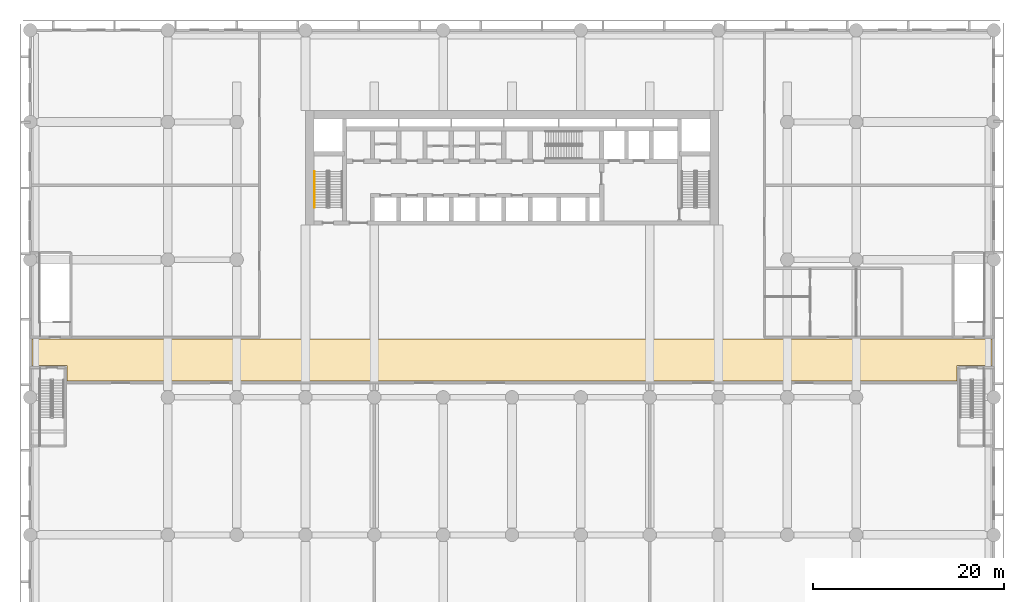
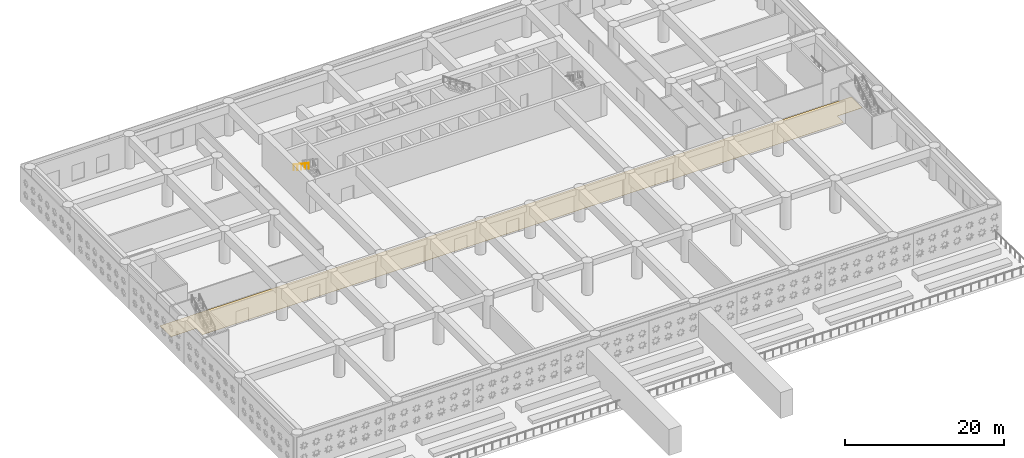
# One storey, part 15 of 24: 1 covering, 1 railing.
"""IFC4 building model written with IfcOpenShell, lengths in metres."""

from ifc_helpers import new_model, si_unit, direction, frame, origin, origin_2d, place, context, subcontext, project, spatial, polyline, circle, outline, extrude, material, layer, layer_set, type_object, element, save


model = new_model("IFC4")

# Units and contexts
model_context = context("Model", 3, precision=1e-05, world=origin(), true_north=direction((0.0, 1.0)))
body_context = subcontext(model_context, "Body", "Model", "MODEL_VIEW")
ifc_project = project(units=[si_unit("LENGTHUNIT", "METRE"), si_unit("AREAUNIT", "SQUARE_METRE"), si_unit("VOLUMEUNIT", "CUBIC_METRE"), si_unit("PLANEANGLEUNIT", "RADIAN"), si_unit("MASSUNIT", "GRAM", prefix="KILO")], contexts=[model_context])

# Site, building, storey
site_placement = place(None, origin())
site = spatial("IfcSite", under=ifc_project, at=site_placement, CompositionType="ELEMENT")
building_placement = place(site_placement, origin())
building = spatial("IfcBuilding", under=site, at=building_placement, Name="Saffron Iwan Residences", CompositionType="ELEMENT")
storey_placement = place(building_placement, frame((0.0, 0.0, 21.60009765625)))
storey = spatial("IfcBuildingStorey", under=building, at=storey_placement, Name="L04", CompositionType="ELEMENT", Elevation=21.60009765625)

# Covering
ifc_material_1 = material(Name="Carpet flooring")
ifc_layer = layer(ifc_material_1, 0.010009765625)
ifc_layer_set = layer_set([ifc_layer], Name="Carpet flooring")
covering_type = type_object("IfcCoveringType", Name="Carpet flooring 10", PredefinedType="FLOORING", material=ifc_layer_set)
covering_placement = place(storey_placement, origin())
element("IfcCovering", 1, at=covering_placement, inside=storey, type_object=covering_type, Name="Podium corridor flooring", PredefinedType="FLOORING", context=body_context, shape_type="SweptSolid", body=[
    extrude(outline(polyline([(100.60009765625, 51.300048828125), (96.949951171875, 51.300048828125), (96.949951171875, 49.699951171875), (3.85009765625, 49.699951171875), (3.85009765625, 51.300048828125), (0.199951171875, 51.300048828125), (0.199951171875, 54.10009765625), (100.60009765625, 54.10009765625), (100.60009765625, 51.300048828125)])), origin(), (0.0, 0.0, 1.0), 0.010009765625),
])

# Railing
ifc_material_2 = material(Name="Stainless steel 316", Category="steel")
railing_type = type_object("IfcRailingType", Name="Stair handrail 900", PredefinedType="HANDRAIL", material=ifc_material_2)
railing_placement = place(storey_placement, frame((29.75, 71.6298828125, 2.8798828125)))
element("IfcRailing", 2, at=railing_placement, inside=storey, type_object=railing_type, Name="L04 ST-W stair handrail 2", PredefinedType="HANDRAIL", context=body_context, shape_type="SweptSolid", body=[
    extrude(circle(Radius=0.02392578125, at=origin_2d()), frame((0.0, 0.0, 0.8759765625), z_axis=(0.0, -0.832033757966, 0.554724999982), x_axis=(1.0, 0.0, 0.0)), (0.0, 0.0, 1.0), 4.542724609375),
    extrude(circle(Radius=0.02099609375, at=origin_2d()), origin(), (0.0, 0.0, 1.0), 0.851806640625),
    extrude(circle(Radius=0.02099609375, at=origin_2d()), frame((0.0, -0.94482421875, 0.6298828125)), (0.0, 0.0, 1.0), 0.851806640625),
    extrude(circle(Radius=0.02099609375, at=origin_2d()), frame((0.0, -1.889892578125, 1.260009765625)), (0.0, 0.0, 1.0), 0.851806640625),
    extrude(circle(Radius=0.02099609375, at=origin_2d()), frame((0.0, -2.8349609375, 1.89013671875)), (0.0, 0.0, 1.0), 0.851806640625),
    extrude(circle(Radius=0.02099609375, at=origin_2d()), frame((0.0, -3.77978515625, 2.52001953125)), (0.0, 0.0, 1.0), 0.851806640625),
])

save(model, "model.ifc")
